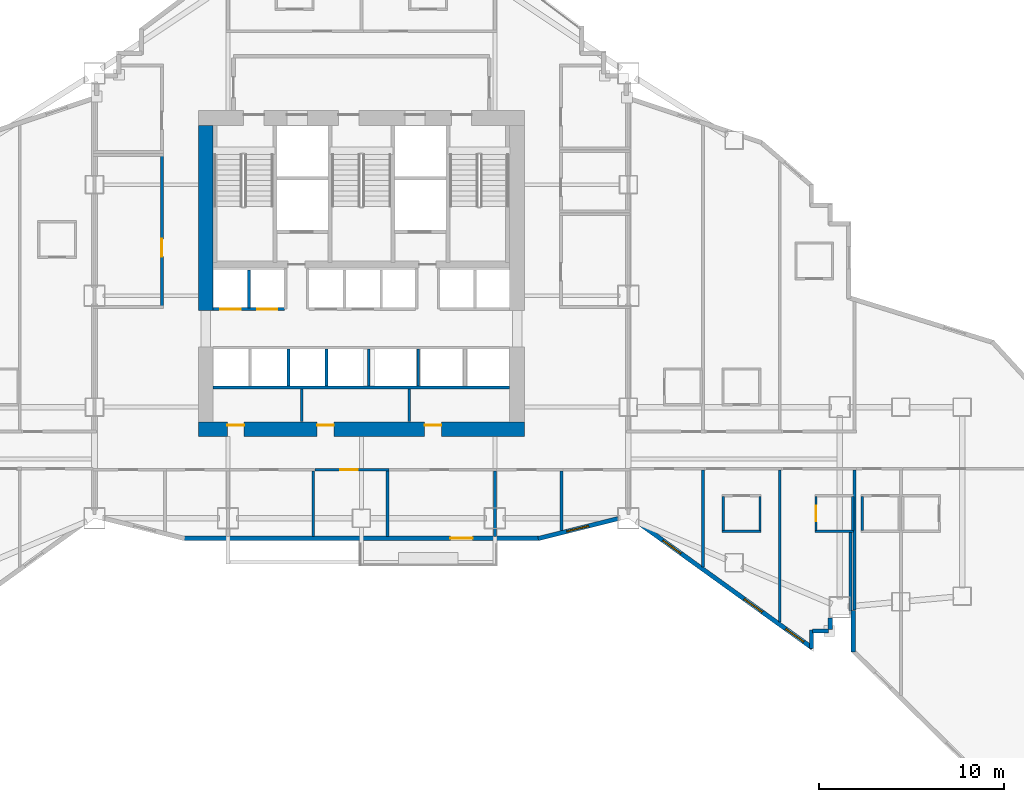
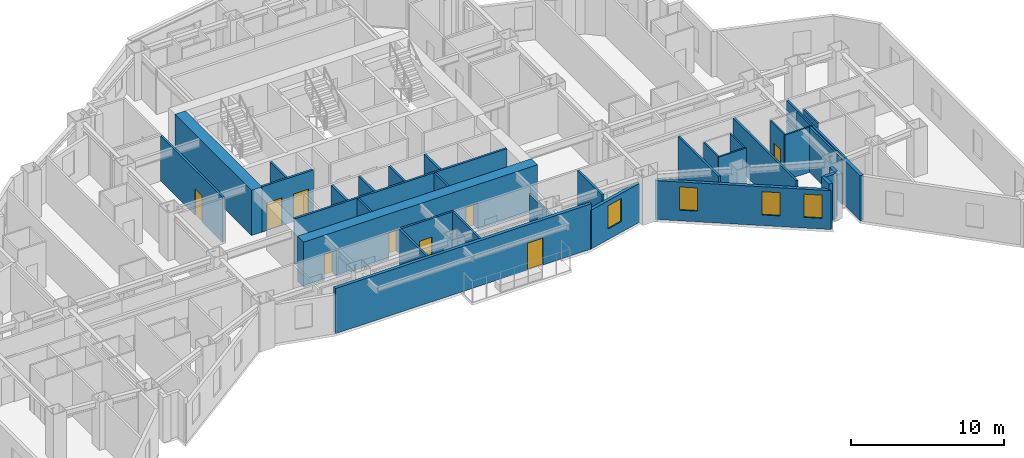
# One storey, part 7 of 16: 35 walls, 9 doors, 4 windows, 13 openings.
"""IFC4 building model written with IfcOpenShell, lengths in metres."""

import ifcopenshell
import ifcopenshell.guid

model = None  # the IFC model being written
_history = None  # IfcOwnerHistory: only IFC2X3 demands one
_inside = {}  # id of a spatial element -> (the spatial element, [elements in it])
_under = {}  # id of a project, library or spatial element -> (it, [spatial elements below it])
_declared = {}  # id of a project -> (the project, [libraries it declares])
_typed = {}  # id of a type object -> (the type object, [elements of that type])
_made_of = {}  # id of a material, layer set ... -> (it, [elements and type objects made of it])


def new_model(schema):
    """Start an empty IFC model of exactly this schema.

    Asked for "IFC4X3", IfcOpenShell would pick the latest addendum, in which some entities
    have other attributes; the version numbers below select the first issue.
    IFC2X3 requires an IfcOwnerHistory on every rooted entity: one is made here for all.
    """
    global model, _history
    if schema == "IFC4X3":
        model = ifcopenshell.file(schema_version=(4, 3, 0, 0))
    else:
        model = ifcopenshell.file(schema=schema)
    _inside.clear()
    _under.clear()
    _declared.clear()
    _typed.clear()
    _made_of.clear()
    _history = None
    if model.schema == "IFC2X3":
        org = make("IfcOrganization", Name="unknown")
        user = make(
            "IfcPersonAndOrganization",
            ThePerson=make("IfcPerson", FamilyName="unknown"),
            TheOrganization=org,
        )
        app = make(
            "IfcApplication",
            ApplicationDeveloper=org,
            Version="unknown",
            ApplicationFullName="unknown",
            ApplicationIdentifier="unknown",
        )
        _history = make(
            "IfcOwnerHistory",
            OwningUser=user,
            OwningApplication=app,
            ChangeAction="ADDED",
            CreationDate=0,
        )
    return model


def make(cls, **values):
    """One entity of the class cls with the attributes given. An attribute that is None is left unset."""
    return model.create_entity(
        cls, **{name: value for name, value in values.items() if value is not None}
    )


def rooted(cls, **values):
    """An entity with a GlobalId (a new one), such as an element, a storey or a relation."""
    return make(cls, GlobalId=ifcopenshell.guid.new(), OwnerHistory=_history, **values)


def si_unit(unit_type, name, prefix=None):
    """IfcSIUnit, for example si_unit("LENGTHUNIT", "METRE", prefix="MILLI")."""
    return make("IfcSIUnit", UnitType=unit_type, Prefix=prefix, Name=name)


def assignment(units):
    """IfcUnitAssignment: the units of a project."""
    return None if units is None else make("IfcUnitAssignment", Units=units)


def point(xyz):
    """IfcCartesianPoint."""
    return None if xyz is None else make("IfcCartesianPoint", Coordinates=xyz)


def direction(xyz):
    """IfcDirection."""
    return None if xyz is None else make("IfcDirection", DirectionRatios=xyz)


def frame(location, z_axis=None, x_axis=None):
    """IfcAxis2Placement3D, a coordinate frame: its origin and axes. An axis left out is left unset."""
    return make(
        "IfcAxis2Placement3D",
        Location=point(location),
        Axis=direction(z_axis),
        RefDirection=direction(x_axis),
    )


def frame_2d(location, x_axis=None):
    """IfcAxis2Placement2D, a coordinate frame in the plane: its origin and x axis."""
    return make(
        "IfcAxis2Placement2D", Location=point(location), RefDirection=direction(x_axis)
    )


def origin():
    """The frame at (0, 0, 0) with its axes left unset."""
    return frame((0.0, 0.0, 0.0))


def place(relative_to, where):
    """IfcLocalPlacement: puts the frame where relative to a parent placement (None: the world)."""
    return make(
        "IfcLocalPlacement", PlacementRelTo=relative_to, RelativePlacement=where
    )


def context(
    kind, dimensions, precision=None, world=None, true_north=None, identifier=None
):
    """IfcGeometricRepresentationContext, for example the 3D "Model" context."""
    return make(
        "IfcGeometricRepresentationContext",
        ContextIdentifier=identifier,
        ContextType=kind,
        CoordinateSpaceDimension=dimensions,
        Precision=precision,
        WorldCoordinateSystem=world,
        TrueNorth=true_north,
    )


def subcontext(parent, identifier, kind, view, scale=None):
    """IfcGeometricRepresentationSubContext, for example "Body" below "Model"."""
    return make(
        "IfcGeometricRepresentationSubContext",
        ContextIdentifier=identifier,
        ContextType=kind,
        ParentContext=parent,
        TargetScale=scale,
        TargetView=view,
    )


def project(units=None, contexts=None):
    """IfcProject with its units and contexts."""
    return rooted(
        "IfcProject",
        Name="project",
        RepresentationContexts=contexts,
        UnitsInContext=assignment(units),
    )


def spatial(cls, under=None, at=None, **own):
    """A site, building, storey or space (cls), placed at a placement, below another one or the project."""
    s = rooted(cls, ObjectPlacement=at, **own)
    if under is not None:
        _under.setdefault(under.id(), (under, []))[1].append(s)
    return s


def profile(cls, at=None, kind="AREA", **sizes):
    """A parametric profile (cls). Its sizes go by their IFC names, for example OverallWidth=200.0."""
    return make(cls, ProfileType=kind, Position=at, **sizes)


def rectangle(**sizes):
    """IfcRectangleProfileDef."""
    return profile("IfcRectangleProfileDef", **sizes)


def extrude(swept, where, along, depth):
    """IfcExtrudedAreaSolid: the profile swept, set in the frame where, extruded along a direction by depth."""
    return make(
        "IfcExtrudedAreaSolid",
        SweptArea=swept,
        Position=where,
        ExtrudedDirection=direction(along),
        Depth=depth,
    )


def shape(context_of_items, identifier, shape_type, items):
    """IfcShapeRepresentation: the items that make up one representation, for example the "Body"."""
    return make(
        "IfcShapeRepresentation",
        ContextOfItems=context_of_items,
        RepresentationIdentifier=identifier,
        RepresentationType=shape_type,
        Items=items,
    )


def material(Name=None, Category=None):
    """IfcMaterial."""
    return make("IfcMaterial", Name=Name, Category=Category)


def layer(
    of_material, thickness, ventilated=None, Name=None, Category=None, Priority=None
):
    """IfcMaterialLayer: one layer of a wall or slab, of a material (None: an air gap)."""
    return make(
        "IfcMaterialLayer",
        Material=of_material,
        LayerThickness=thickness,
        IsVentilated=ventilated,
        Name=Name,
        Category=Category,
        Priority=Priority,
    )


def layer_set(layers, Name=None):
    """IfcMaterialLayerSet."""
    return make("IfcMaterialLayerSet", MaterialLayers=layers, LayerSetName=Name)


def made_of(thing, what):
    """Note that an element or type object is made of a material, layer set ...; save() writes the relation."""
    if what is not None:
        _made_of.setdefault(what.id(), (what, []))[1].append(thing)
    return thing


def type_object(cls, material=None, **own):
    """A type object (cls), such as IfcWallType, which elements share."""
    return made_of(rooted(cls, **own), material)


def element(
    cls,
    number,
    at=None,
    inside=None,
    cuts=None,
    type_object=None,
    material=None,
    context=None,
    identifier="Body",
    shape_type=None,
    held_by="IfcProductDefinitionShape",
    body=None,
    shapes=None,
    **own,
):
    """One element of the class cls, such as IfcWall. Its Tag is "e" and its number.

    at: its placement. inside: the storey or other place that contains it. cuts: it is an
    opening in that element (IfcRelVoidsElement). A single representation is given by context,
    identifier, shape_type and body (its items); several are given by shapes. held_by: the class
    of the entity that holds the representations. save() writes the other relations.
    """
    e = rooted(cls, Tag="e%d" % number, ObjectPlacement=at, **own)
    if body is not None:
        shapes = [shape(context, identifier, shape_type, body)]
    if shapes is not None:
        e.Representation = make(held_by, Representations=shapes)
    if inside is not None:
        _inside.setdefault(inside.id(), (inside, []))[1].append(e)
    if cuts is not None:
        rooted(
            "IfcRelVoidsElement", RelatingBuildingElement=cuts, RelatedOpeningElement=e
        )
    if type_object is not None:
        _typed.setdefault(type_object.id(), (type_object, []))[1].append(e)
    return made_of(e, material)


def fill(opening, filler):
    """IfcRelFillsElement: the door or window that sits in an opening."""
    return rooted(
        "IfcRelFillsElement",
        RelatingOpeningElement=opening,
        RelatedBuildingElement=filler,
    )


def aggregate(whole, parts):
    """IfcRelAggregates: a whole, such as a stair, and the parts it consists of."""
    return rooted("IfcRelAggregates", RelatingObject=whole, RelatedObjects=parts)


def save(model, path):
    """Write the relations noted so far, then the file.

    IfcRelAggregates (storeys below a building ...), IfcRelContainedInSpatialStructure (elements
    in a storey), IfcRelDefinesByType, IfcRelAssociatesMaterial and IfcRelDeclares: one each for
    every whole, place, type object, material and project.
    """
    for whole, parts in _under.values():
        aggregate(whole, parts)
    for where, things in _inside.values():
        rooted(
            "IfcRelContainedInSpatialStructure",
            RelatedElements=things,
            RelatingStructure=where,
        )
    for kind, things in _typed.values():
        rooted("IfcRelDefinesByType", RelatedObjects=things, RelatingType=kind)
    for what, things in _made_of.values():
        rooted("IfcRelAssociatesMaterial", RelatedObjects=things, RelatingMaterial=what)
    for by, libraries in _declared.values():
        rooted("IfcRelDeclares", RelatingContext=by, RelatedDefinitions=libraries)
    model.write(path)


model = new_model("IFC4")

# Units and contexts
model_context = context("Model", 3, precision=1e-05, world=origin(), true_north=direction((0.0, 1.0)))
body_context = subcontext(model_context, "Body", "Model", "MODEL_VIEW")
ifc_project = project(units=[si_unit("LENGTHUNIT", "METRE"), si_unit("AREAUNIT", "SQUARE_METRE"), si_unit("VOLUMEUNIT", "CUBIC_METRE"), si_unit("PLANEANGLEUNIT", "RADIAN"), si_unit("MASSUNIT", "GRAM", prefix="KILO")], contexts=[model_context])

# Site, building, storey
site_placement = place(None, origin())
site = spatial("IfcSite", under=ifc_project, at=site_placement, CompositionType="ELEMENT")
building_placement = place(site_placement, origin())
building = spatial("IfcBuilding", under=site, at=building_placement, Name="Haolan Belvedere Tower", CompositionType="ELEMENT")
storey_placement = place(building_placement, frame((0.0, 0.0, 47.60009765625)))
storey = spatial("IfcBuildingStorey", under=building, at=storey_placement, Name="L11", CompositionType="ELEMENT", Elevation=47.60009765625)

# Wall, openings, doors
ifc_material_1 = material(Name="Concrete C70/85", Category="concrete")
ifc_layer_1 = layer(ifc_material_1, 0.800048828125, Name="Concrete C70/85")
ifc_layer_set_1 = layer_set([ifc_layer_1], Name="Concrete C70/85")
wall_type_1 = type_object("IfcWallType", Name="WL-CORE-800", PredefinedType="SHEAR", material=ifc_layer_set_1)
wall_1_placement = place(storey_placement, frame((29.60009765625, 26.39990234375, 0.0), z_axis=(0.0, 0.0, 1.0), x_axis=(1.0, 0.0, 0.0)))
wall_1 = element("IfcWall", 1, at=wall_1_placement, inside=storey, type_object=wall_type_1, Name="L11 central core south shear wall", PredefinedType="SHEAR", context=body_context, shape_type="SweptSolid", body=[
    extrude(rectangle(XDim=17.599853515625, YDim=0.800048828125, at=frame_2d((8.7998046875, 0.0))), origin(), (0.0, 0.0, 1.0), 3.599853515625),
])
opening_1_placement = place(wall_1_placement, frame((2.469970703125, 0.0, 0.0), z_axis=(0.0, 0.0, 1.0), x_axis=(-1.0, 0.0, 0.0)))
opening_1 = element("IfcOpeningElement", 2, at=opening_1_placement, cuts=wall_1, Name="Opening FD-05", PredefinedType="OPENING", context=body_context, shape_type="SweptSolid", body=[
    extrude(rectangle(XDim=0.89990234375, YDim=2.10009765625, at=frame_2d((0.449951171875, 1.050048828125))), frame((0.0, 0.409912109375, 0.0), z_axis=(0.0, -1.0, 0.0), x_axis=(1.0, 0.0, 0.0)), (0.0, 0.0, 1.0), 0.820068359375),
])
opening_2_placement = place(wall_1_placement, frame((7.309814453125, 0.0, 0.0), z_axis=(0.0, 0.0, 1.0), x_axis=(-1.0, 0.0, 0.0)))
opening_2 = element("IfcOpeningElement", 3, at=opening_2_placement, cuts=wall_1, Name="Opening FD-05", PredefinedType="OPENING", context=body_context, shape_type="SweptSolid", body=[
    extrude(rectangle(XDim=0.89990234375, YDim=2.10009765625, at=frame_2d((0.449951171875, 1.050048828125))), frame((0.0, 0.409912109375, 0.0), z_axis=(0.0, -1.0, 0.0), x_axis=(1.0, 0.0, 0.0)), (0.0, 0.0, 1.0), 0.820068359375),
])
opening_3_placement = place(wall_1_placement, frame((13.10986328125, 0.0, 0.0), z_axis=(0.0, 0.0, 1.0), x_axis=(-1.0, 0.0, 0.0)))
opening_3 = element("IfcOpeningElement", 4, at=opening_3_placement, cuts=wall_1, Name="Opening FD-05", PredefinedType="OPENING", context=body_context, shape_type="SweptSolid", body=[
    extrude(rectangle(XDim=0.89990234375, YDim=2.10009765625, at=frame_2d((0.449951171875, 1.050048828125))), frame((0.0, 0.409912109375, 0.0), z_axis=(0.0, -1.0, 0.0), x_axis=(1.0, 0.0, 0.0)), (0.0, 0.0, 1.0), 0.820068359375),
])
ifc_material_2 = material(Name="Galvanised fire-rated steel", Category="steel")
door_type_1 = type_object("IfcDoorType", Name="DR-FD60-900", OperationType="NOTDEFINED", PredefinedType="DOOR", material=ifc_material_2)
door_1_placement = place(opening_1_placement, origin())
door_1 = element("IfcDoor", 5, at=door_1_placement, inside=storey, type_object=door_type_1, Name="L11 door CD-L11-SCV-1", OperationType="SINGLE_SWING_LEFT", OverallHeight=2.10009765625, OverallWidth=0.89990234375, PredefinedType="DOOR", context=body_context, shape_type="SweptSolid", body=[
    extrude(rectangle(XDim=0.89990234375, YDim=2.10009765625, at=frame_2d((0.449951171875, 1.050048828125))), frame((0.0, -0.19482421875, 0.0), z_axis=(0.0, -1.0, 0.0), x_axis=(1.0, 0.0, 0.0)), (0.0, 0.0, 1.0), 0.050048828125),
])
fill(opening_1, door_1)
door_2_placement = place(opening_2_placement, origin())
door_2 = element("IfcDoor", 6, at=door_2_placement, inside=storey, type_object=door_type_1, Name="L11 door CD-L11-SCV-2", OperationType="SINGLE_SWING_RIGHT", OverallHeight=2.10009765625, OverallWidth=0.89990234375, PredefinedType="DOOR", context=body_context, shape_type="SweptSolid", body=[
    extrude(rectangle(XDim=0.89990234375, YDim=2.10009765625, at=frame_2d((0.449951171875, 1.050048828125))), frame((0.0, -0.19482421875, 0.0), z_axis=(0.0, -1.0, 0.0), x_axis=(1.0, 0.0, 0.0)), (0.0, 0.0, 1.0), 0.050048828125),
])
fill(opening_2, door_2)
door_3_placement = place(opening_3_placement, origin())
door_3 = element("IfcDoor", 7, at=door_3_placement, inside=storey, type_object=door_type_1, Name="L11 door CD-L11-SCV-3", OperationType="SINGLE_SWING_LEFT", OverallHeight=2.10009765625, OverallWidth=0.89990234375, PredefinedType="DOOR", context=body_context, shape_type="SweptSolid", body=[
    extrude(rectangle(XDim=0.89990234375, YDim=2.10009765625, at=frame_2d((0.449951171875, 1.050048828125))), frame((0.0, -0.19482421875, 0.0), z_axis=(0.0, -1.0, 0.0), x_axis=(1.0, 0.0, 0.0)), (0.0, 0.0, 1.0), 0.050048828125),
])
fill(opening_3, door_3)

# Wall
wall_2_placement = place(storey_placement, frame((30.0, 32.800048828125, 0.0), z_axis=(0.0, 0.0, 1.0), x_axis=(0.0, 1.0, 0.0)))
element("IfcWall", 8, at=wall_2_placement, inside=storey, type_object=wall_type_1, Name="L11 central core shear wall WN", PredefinedType="SHEAR", context=body_context, shape_type="SweptSolid", body=[
    extrude(rectangle(XDim=10.0, YDim=0.800048828125, at=frame_2d((5.0, 0.0))), origin(), (0.0, 0.0, 1.0), 3.599853515625),
])

# Wall, opening, door
ifc_material_3 = material(Name="Precast concrete C40/50", Category="concrete")
ifc_layer_2 = layer(ifc_material_3, 0.239990234375, Name="Precast concrete C40/50")
ifc_layer_set_2 = layer_set([ifc_layer_2], Name="Precast concrete C40/50")
wall_type_2 = type_object("IfcWallType", Name="WL-EXT-240", PredefinedType="SOLIDWALL", material=ifc_layer_set_2)
wall_3_placement = place(storey_placement, frame((28.759765625, 20.52001953125, 0.0), z_axis=(0.0, 0.0, 1.0), x_axis=(1.0, 0.0, 0.0)))
wall_3 = element("IfcWall", 9, at=wall_3_placement, inside=storey, type_object=wall_type_2, Name="L11 pale-metal exterior spandrel wall 13.1", PredefinedType="SOLIDWALL", context=body_context, shape_type="SweptSolid", body=[
    extrude(rectangle(XDim=19.280517578125, YDim=0.239990234375, at=frame_2d((9.64013671875, 0.0))), origin(), (0.0, 0.0, 1.0), 3.599853515625),
])
opening_4_placement = place(wall_3_placement, frame((15.64013671875, 0.0, 0.0), z_axis=(0.0, 0.0, 1.0), x_axis=(-1.0, 0.0, 0.0)))
opening_4 = element("IfcOpeningElement", 10, at=opening_4_placement, cuts=wall_3, Name="Opening BD-01", PredefinedType="OPENING", context=body_context, shape_type="SweptSolid", body=[
    extrude(rectangle(XDim=1.199951171875, YDim=2.14990234375, at=frame_2d((0.60009765625, 1.074951171875))), frame((0.0, 0.1298828125, 0.0), z_axis=(0.0, -1.0, 0.0), x_axis=(1.0, 0.0, 0.0)), (0.0, 0.0, 1.0), 0.260009765625),
])
ifc_material_4 = material(Name="Thermally broken pale-metal aluminium and Low-E glass", Category="aluminium")
door_type_2 = type_object("IfcDoorType", Name="DR-BAL-1200", OperationType="NOTDEFINED", PredefinedType="DOOR", material=ifc_material_4)
door_4_placement = place(opening_4_placement, origin())
door_4 = element("IfcDoor", 11, at=door_4_placement, inside=storey, type_object=door_type_2, Name="L11 tree-balcony access door 1", OperationType="SINGLE_SWING_LEFT", OverallHeight=2.14990234375, OverallWidth=1.199951171875, PredefinedType="DOOR", context=body_context, shape_type="SweptSolid", body=[
    extrude(rectangle(XDim=1.199951171875, YDim=2.14990234375, at=frame_2d((0.60009765625, 1.074951171875))), frame((0.0, 0.02490234375, 0.0), z_axis=(0.0, -1.0, 0.0), x_axis=(1.0, 0.0, 0.0)), (0.0, 0.0, 1.0), 0.050048828125),
])
fill(opening_4, door_4)

# Wall, opening, window
wall_4_placement = place(storey_placement, frame((47.931884765625, 20.506591796875, 0.0), z_axis=(0.0, 0.0, 1.0), x_axis=(0.970145739396, 0.242522667667, 0.0)))
wall_4 = element("IfcWall", 12, at=wall_4_placement, inside=storey, type_object=wall_type_2, Name="L11 pale-metal exterior spandrel wall 14.1", PredefinedType="SOLIDWALL", context=body_context, shape_type="SweptSolid", body=[
    extrude(rectangle(XDim=4.433349609375, YDim=0.239990234375, at=frame_2d((2.216796875, 0.0))), origin(), (0.0, 0.0, 1.0), 3.096923828125),
])
opening_5_placement = place(wall_4_placement, frame((1.60009765625, 0.0, 0.85009765625)))
opening_5 = element("IfcOpeningElement", 13, at=opening_5_placement, cuts=wall_4, Name="Opening W-01", PredefinedType="OPENING", context=body_context, shape_type="SweptSolid", body=[
    extrude(rectangle(XDim=1.199951171875, YDim=1.85009765625, at=frame_2d((0.60009765625, 0.925048828125))), frame((0.0, 0.1298828125, 0.0), z_axis=(0.0, -1.0, 0.0), x_axis=(1.0, 0.0, 0.0)), (0.0, 0.0, 1.0), 0.260009765625),
])
ifc_material_5 = material(Name="Anodised aluminium 6063-T6 and Low-E glass", Category="aluminium")
window_type = type_object("IfcWindowType", Name="WN-DECO-Z1", PartitioningType="SINGLE_PANEL", PredefinedType="WINDOW", material=ifc_material_5)
window_1_placement = place(opening_5_placement, origin())
window_1 = element("IfcWindow", 14, at=window_1_placement, inside=storey, type_object=window_type, Name="L11 Art Deco chevron window 1", OverallHeight=1.85009765625, OverallWidth=1.199951171875, PartitioningType="SINGLE_PANEL", PredefinedType="WINDOW", context=body_context, shape_type="SweptSolid", body=[
    extrude(rectangle(XDim=1.199951171875, YDim=1.85009765625, at=frame_2d((0.60009765625, 0.925048828125))), frame((0.0, 0.030029296875, 0.0), z_axis=(0.0, -1.0, 0.0), x_axis=(1.0, 0.0, 0.0)), (0.0, 0.0, 1.0), 0.06005859375),
])
fill(opening_5, window_1)

# Wall, openings, windows
wall_5_placement = place(storey_placement, frame((53.366943359375, 21.339599609375, 0.0), z_axis=(0.0, 0.0, 1.0), x_axis=(0.811543176492, -0.58429245476, 0.0)))
wall_5 = element("IfcWall", 15, at=wall_5_placement, inside=storey, type_object=wall_type_2, Name="L11 pale-metal exterior spandrel wall 15.1", PredefinedType="SOLIDWALL", context=body_context, shape_type="SweptSolid", body=[
    extrude(rectangle(XDim=11.53076171875, YDim=0.239990234375, at=frame_2d((5.765380859375, 0.0))), origin(), (0.0, 0.0, 1.0), 3.096923828125),
])
opening_6_placement = place(wall_5_placement, frame((1.60009765625, 0.0, 0.85009765625)))
opening_6 = element("IfcOpeningElement", 16, at=opening_6_placement, cuts=wall_5, Name="Opening W-01", PredefinedType="OPENING", context=body_context, shape_type="SweptSolid", body=[
    extrude(rectangle(XDim=1.199951171875, YDim=1.85009765625, at=frame_2d((0.60009765625, 0.925048828125))), frame((0.0, 0.1298828125, 0.0), z_axis=(0.0, -1.0, 0.0), x_axis=(1.0, 0.0, 0.0)), (0.0, 0.0, 1.0), 0.260009765625),
])
opening_7_placement = place(wall_5_placement, frame((7.0, 0.0, 0.85009765625)))
opening_7 = element("IfcOpeningElement", 17, at=opening_7_placement, cuts=wall_5, Name="Opening W-01", PredefinedType="OPENING", context=body_context, shape_type="SweptSolid", body=[
    extrude(rectangle(XDim=1.199951171875, YDim=1.85009765625, at=frame_2d((0.60009765625, 0.925048828125))), frame((0.0, 0.1298828125, 0.0), z_axis=(0.0, -1.0, 0.0), x_axis=(1.0, 0.0, 0.0)), (0.0, 0.0, 1.0), 0.260009765625),
])
opening_8_placement = place(wall_5_placement, frame((9.761962890625, 0.0, 0.85009765625)))
opening_8 = element("IfcOpeningElement", 18, at=opening_8_placement, cuts=wall_5, Name="Opening W-01", PredefinedType="OPENING", context=body_context, shape_type="SweptSolid", body=[
    extrude(rectangle(XDim=1.199951171875, YDim=1.85009765625, at=frame_2d((0.60009765625, 0.925048828125))), frame((0.0, 0.1298828125, 0.0), z_axis=(0.0, -1.0, 0.0), x_axis=(1.0, 0.0, 0.0)), (0.0, 0.0, 1.0), 0.260009765625),
])
window_2_placement = place(opening_6_placement, origin())
window_2 = element("IfcWindow", 19, at=window_2_placement, inside=storey, type_object=window_type, Name="L11 Art Deco chevron window 1", OverallHeight=1.85009765625, OverallWidth=1.199951171875, PartitioningType="SINGLE_PANEL", PredefinedType="WINDOW", context=body_context, shape_type="SweptSolid", body=[
    extrude(rectangle(XDim=1.199951171875, YDim=1.85009765625, at=frame_2d((0.60009765625, 0.925048828125))), frame((0.0, 0.030029296875, 0.0), z_axis=(0.0, -1.0, 0.0), x_axis=(1.0, 0.0, 0.0)), (0.0, 0.0, 1.0), 0.06005859375),
])
fill(opening_6, window_2)
window_3_placement = place(opening_7_placement, origin())
window_3 = element("IfcWindow", 20, at=window_3_placement, inside=storey, type_object=window_type, Name="L11 Art Deco chevron window 2", OverallHeight=1.85009765625, OverallWidth=1.199951171875, PartitioningType="SINGLE_PANEL", PredefinedType="WINDOW", context=body_context, shape_type="SweptSolid", body=[
    extrude(rectangle(XDim=1.199951171875, YDim=1.85009765625, at=frame_2d((0.60009765625, 0.925048828125))), frame((0.0, 0.030029296875, 0.0), z_axis=(0.0, -1.0, 0.0), x_axis=(1.0, 0.0, 0.0)), (0.0, 0.0, 1.0), 0.06005859375),
])
fill(opening_7, window_3)
window_4_placement = place(opening_8_placement, origin())
window_4 = element("IfcWindow", 21, at=window_4_placement, inside=storey, type_object=window_type, Name="L11 Art Deco guestroom window 2", OverallHeight=1.85009765625, OverallWidth=1.199951171875, PartitioningType="SINGLE_PANEL", PredefinedType="WINDOW", context=body_context, shape_type="SweptSolid", body=[
    extrude(rectangle(XDim=1.199951171875, YDim=1.85009765625, at=frame_2d((0.60009765625, 0.925048828125))), frame((0.0, 0.030029296875, 0.0), z_axis=(0.0, -1.0, 0.0), x_axis=(1.0, 0.0, 0.0)), (0.0, 0.0, 1.0), 0.06005859375),
])
fill(opening_8, window_4)

# Walls
wall_6_placement = place(storey_placement, frame((62.679931640625, 14.579345703125, 0.0), z_axis=(0.0, 0.0, 1.0), x_axis=(0.0, 1.0, 0.0)))
element("IfcWall", 22, at=wall_6_placement, inside=storey, type_object=wall_type_2, Name="L11 pale-metal exterior spandrel wall 16.1", PredefinedType="SOLIDWALL", context=body_context, shape_type="SweptSolid", body=[
    extrude(rectangle(XDim=0.99560546875, YDim=0.239990234375, at=frame_2d((0.497802734375, 0.0))), origin(), (0.0, 0.0, 1.0), 3.599853515625),
])
wall_7_placement = place(storey_placement, frame((62.7451171875, 15.52001953125, 0.0), z_axis=(0.0, 0.0, 1.0), x_axis=(1.0, 0.0, 0.0)))
element("IfcWall", 23, at=wall_7_placement, inside=storey, type_object=wall_type_2, Name="L11 pale-metal exterior spandrel wall 17.1", PredefinedType="SOLIDWALL", context=body_context, shape_type="SweptSolid", body=[
    extrude(rectangle(XDim=0.849853515625, YDim=0.239990234375, at=frame_2d((0.4248046875, 0.0))), origin(), (0.0, 0.0, 1.0), 3.599853515625),
])
wall_8_placement = place(storey_placement, frame((63.679931640625, 15.60498046875, 0.0), z_axis=(0.0, 0.0, 1.0), x_axis=(0.0, 1.0, 0.0)))
element("IfcWall", 24, at=wall_8_placement, inside=storey, type_object=wall_type_2, Name="L11 pale-metal exterior spandrel wall 18.1", PredefinedType="SOLIDWALL", context=body_context, shape_type="SweptSolid", body=[
    extrude(rectangle(XDim=0.6279296875, YDim=0.239990234375, at=frame_2d((0.31396484375, 0.0))), origin(), (0.0, 0.0, 1.0), 3.599853515625),
])
wall_9_placement = place(storey_placement, frame((64.919921875, 16.639892578125, 0.0), z_axis=(0.0, 0.0, 1.0), x_axis=(0.0, -1.0, 0.0)))
element("IfcWall", 25, at=wall_9_placement, inside=storey, type_object=wall_type_2, Name="L11 pale-metal exterior spandrel wall 20.1", PredefinedType="SOLIDWALL", context=body_context, shape_type="SweptSolid", body=[
    extrude(rectangle(XDim=2.24462890625, YDim=0.239990234375, at=frame_2d((1.122314453125, 0.0))), origin(), (0.0, 0.0, 1.0), 3.599853515625),
])
ifc_material_6 = material(Name="Double gypsum acoustic stud partition", Category="masonry")
ifc_layer_3 = layer(ifc_material_6, 0.14990234375, Name="Double gypsum acoustic stud partition")
ifc_layer_set_3 = layer_set([ifc_layer_3], Name="Double gypsum acoustic stud partition")
wall_type_3 = type_object("IfcWallType", Name="WL-PART-150", PredefinedType="PARTITIONING", material=ifc_layer_set_3)
wall_10_placement = place(storey_placement, frame((30.39990234375, 28.659912109375, 0.0), z_axis=(0.0, 0.0, 1.0), x_axis=(1.0, 0.0, 0.0)))
element("IfcWall", 26, at=wall_10_placement, inside=storey, type_object=wall_type_3, Name="L11 interior partition IW-L11-SSTRIP-N", PredefinedType="PARTITIONING", context=body_context, shape_type="SweptSolid", body=[
    extrude(rectangle(XDim=16.0, YDim=0.14990234375, at=frame_2d((8.0, 0.0))), origin(), (0.0, 0.0, 1.0), 3.599853515625),
])
for number, where, z_axis, x_axis, name in (
    (27, (35.179931640625, 26.81005859375, 0.0), (0.0, 0.0, 1.0), (0.0, 1.0, 0.0), "L11 interior partition IW-L11-SCV-DIV-1"),
    (28, (40.97998046875, 26.81005859375, 0.0), (0.0, 0.0, 1.0), (0.0, 1.0, 0.0), "L11 interior partition IW-L11-SCV-DIV-2"),
):
    element("IfcWall", number, at=place(storey_placement, frame(where, z_axis=z_axis, x_axis=x_axis)), inside=storey, type_object=wall_type_3, Name=name, PredefinedType="PARTITIONING", context=body_context, shape_type="SweptSolid", body=[
        extrude(rectangle(XDim=1.77001953125, YDim=0.14990234375, at=frame_2d((0.885009765625, 0.0))), origin(), (0.0, 0.0, 1.0), 3.599853515625),
    ])

# Wall, opening, door
wall_11_placement = place(storey_placement, frame((27.639892578125, 33.06005859375, 0.0), z_axis=(0.0, 0.0, 1.0), x_axis=(0.0, 1.0, 0.0)))
wall_11 = element("IfcWall", 29, at=wall_11_placement, inside=storey, type_object=wall_type_3, Name="L11 interior partition IW-L11-SAL-E", PredefinedType="PARTITIONING", context=body_context, shape_type="SweptSolid", body=[
    extrude(rectangle(XDim=8.079833984375, YDim=0.14990234375, at=frame_2d((4.0400390625, 0.0))), origin(), (0.0, 0.0, 1.0), 3.599853515625),
])
opening_9_placement = place(wall_11_placement, frame((3.60986328125, 0.0, 0.0), z_axis=(0.0, 0.0, 1.0), x_axis=(-1.0, 0.0, 0.0)))
opening_9 = element("IfcOpeningElement", 30, at=opening_9_placement, cuts=wall_11, Name="Opening ID-03", PredefinedType="OPENING", context=body_context, shape_type="SweptSolid", body=[
    extrude(rectangle(XDim=0.949951171875, YDim=2.1201171875, at=frame_2d((0.47509765625, 1.06005859375))), frame((0.0, 0.0849609375, 0.0), z_axis=(0.0, -1.0, 0.0), x_axis=(1.0, 0.0, 0.0)), (0.0, 0.0, 1.0), 0.169921875),
])
ifc_material_7 = material(Name="Painted solid-core timber", Category="wood")
door_type_3 = type_object("IfcDoorType", Name="DR-INT-950", OperationType="NOTDEFINED", PredefinedType="DOOR", material=ifc_material_7)
door_5_placement = place(opening_9_placement, origin())
door_5 = element("IfcDoor", 31, at=door_5_placement, inside=storey, type_object=door_type_3, Name="L11 door ID-L11-SAL", OperationType="SINGLE_SWING_LEFT", OverallHeight=2.1201171875, OverallWidth=0.949951171875, PredefinedType="DOOR", context=body_context, shape_type="SweptSolid", body=[
    extrude(rectangle(XDim=0.949951171875, YDim=2.1201171875, at=frame_2d((0.47509765625, 1.06005859375))), frame((0.0, 0.02490234375, 0.0), z_axis=(0.0, -1.0, 0.0), x_axis=(1.0, 0.0, 0.0)), (0.0, 0.0, 1.0), 0.050048828125),
])
fill(opening_9, door_5)

# Wall
wall_12_placement = place(storey_placement, frame((35.800048828125, 20.625, 0.0), z_axis=(0.0, 0.0, 1.0), x_axis=(0.0, 1.0, 0.0)))
element("IfcWall", 32, at=wall_12_placement, inside=storey, type_object=wall_type_3, Name="L11 interior partition IW-L11-KS3-E", PredefinedType="PARTITIONING", context=body_context, shape_type="SweptSolid", body=[
    extrude(rectangle(XDim=3.534912109375, YDim=0.14990234375, at=frame_2d((1.767578125, 0.0))), origin(), (0.0, 0.0, 1.0), 3.599853515625),
])

# Wall, opening, door
wall_13_placement = place(storey_placement, frame((35.882080078125, 24.219970703125, 0.0), z_axis=(0.0, 0.0, 1.0), x_axis=(1.0, 0.0, 0.0)))
wall_13 = element("IfcWall", 33, at=wall_13_placement, inside=storey, type_object=wall_type_3, Name="L11 interior partition IW-L11-KS4-N", PredefinedType="PARTITIONING", context=body_context, shape_type="SweptSolid", body=[
    extrude(rectangle(XDim=3.997802734375, YDim=0.14990234375, at=frame_2d((1.9990234375, 0.0))), origin(), (0.0, 0.0, 1.0), 3.599853515625),
])
opening_10_placement = place(wall_13_placement, frame((2.31298828125, 0.0, 0.0), z_axis=(0.0, 0.0, 1.0), x_axis=(-1.0, 0.0, 0.0)))
opening_10 = element("IfcOpeningElement", 34, at=opening_10_placement, cuts=wall_13, Name="Opening ID-03", PredefinedType="OPENING", context=body_context, shape_type="SweptSolid", body=[
    extrude(rectangle(XDim=0.949951171875, YDim=2.1201171875, at=frame_2d((0.47509765625, 1.06005859375))), frame((0.0, 0.0849609375, 0.0), z_axis=(0.0, -1.0, 0.0), x_axis=(1.0, 0.0, 0.0)), (0.0, 0.0, 1.0), 0.169921875),
])
door_6_placement = place(opening_10_placement, origin())
door_6 = element("IfcDoor", 35, at=door_6_placement, inside=storey, type_object=door_type_3, Name="L11 door ID-L11-KS4", OperationType="SINGLE_SWING_RIGHT", OverallHeight=2.1201171875, OverallWidth=0.949951171875, PredefinedType="DOOR", context=body_context, shape_type="SweptSolid", body=[
    extrude(rectangle(XDim=0.949951171875, YDim=2.1201171875, at=frame_2d((0.47509765625, 1.06005859375))), frame((0.0, 0.02490234375, 0.0), z_axis=(0.0, -1.0, 0.0), x_axis=(1.0, 0.0, 0.0)), (0.0, 0.0, 1.0), 0.050048828125),
])
fill(opening_10, door_6)

# Walls
wall_14_placement = place(storey_placement, frame((39.800048828125, 20.625, 0.0), z_axis=(0.0, 0.0, 1.0), x_axis=(0.0, 1.0, 0.0)))
element("IfcWall", 36, at=wall_14_placement, inside=storey, type_object=wall_type_3, Name="L11 interior partition IW-L11-KS4-E", PredefinedType="PARTITIONING", context=body_context, shape_type="SweptSolid", body=[
    extrude(rectangle(XDim=3.534912109375, YDim=0.14990234375, at=frame_2d((1.767578125, 0.0))), origin(), (0.0, 0.0, 1.0), 3.599853515625),
])
wall_15_placement = place(storey_placement, frame((45.60009765625, 20.625, 0.0), z_axis=(0.0, 0.0, 1.0), x_axis=(0.0, 1.0, 0.0)))
element("IfcWall", 37, at=wall_15_placement, inside=storey, type_object=wall_type_3, Name="L11 interior partition IW-L11-KS5-E", PredefinedType="PARTITIONING", context=body_context, shape_type="SweptSolid", body=[
    extrude(rectangle(XDim=3.534912109375, YDim=0.14990234375, at=frame_2d((1.767578125, 0.0))), origin(), (0.0, 0.0, 1.0), 2.98486328125),
])
wall_16_placement = place(storey_placement, frame((49.199951171875, 20.931884765625, 0.0), z_axis=(0.0, 0.0, 1.0), x_axis=(0.0, 1.0, 0.0)))
element("IfcWall", 38, at=wall_16_placement, inside=storey, type_object=wall_type_3, Name="L11 interior partition IW-L11-KS6-E", PredefinedType="PARTITIONING", context=body_context, shape_type="SweptSolid", body=[
    extrude(rectangle(XDim=3.22802734375, YDim=0.14990234375, at=frame_2d((1.614013671875, 0.0))), origin(), (0.0, 0.0, 1.0), 3.599853515625),
])
wall_17_placement = place(storey_placement, frame((56.830078125, 18.9755859375, 0.0), z_axis=(0.0, 0.0, 1.0), x_axis=(0.0, 1.0, 0.0)))
element("IfcWall", 39, at=wall_17_placement, inside=storey, type_object=wall_type_3, Name="L11 interior partition IW-L11-T4S1-E", PredefinedType="PARTITIONING", context=body_context, shape_type="SweptSolid", body=[
    extrude(rectangle(XDim=5.234375, YDim=0.14990234375, at=frame_2d((2.6171875, 0.0))), origin(), (0.0, 0.0, 1.0), 3.599853515625),
])
wall_18_placement = place(storey_placement, frame((60.969970703125, 15.994873046875, 0.0), z_axis=(0.0, 0.0, 1.0), x_axis=(0.0, 1.0, 0.0)))
element("IfcWall", 40, at=wall_18_placement, inside=storey, type_object=wall_type_3, Name="L11 interior partition IW-L11-T4S2-E", PredefinedType="PARTITIONING", context=body_context, shape_type="SweptSolid", body=[
    extrude(rectangle(XDim=8.215087890625, YDim=0.14990234375, at=frame_2d((4.107421875, 0.0))), origin(), (0.0, 0.0, 1.0), 3.599853515625),
])
wall_19_placement = place(storey_placement, frame((65.0, 16.64208984375, 0.0), z_axis=(0.0, 0.0, 1.0), x_axis=(0.0, 1.0, 0.0)))
element("IfcWall", 41, at=wall_19_placement, inside=storey, type_object=wall_type_3, Name="L11 interior partition IW-L11-T4S3-E", PredefinedType="PARTITIONING", context=body_context, shape_type="SweptSolid", body=[
    extrude(rectangle(XDim=7.56787109375, YDim=0.14990234375, at=frame_2d((3.783935546875, 0.0))), origin(), (0.0, 0.0, 1.0), 3.599853515625),
])
wall_20_placement = place(storey_placement, frame((64.780029296875, 16.612060546875, 0.0), z_axis=(0.0, 0.0, 1.0), x_axis=(0.0, 1.0, 0.0)))
element("IfcWall", 42, at=wall_20_placement, inside=storey, type_object=wall_type_3, Name="L11 interior partition IW-L11-T5S1-W", PredefinedType="PARTITIONING", context=body_context, shape_type="SweptSolid", body=[
    extrude(rectangle(XDim=4.242919921875, YDim=0.14990234375, at=frame_2d((2.12158203125, 0.0))), origin(), (0.0, 0.0, 1.0), 3.599853515625),
])

# Wall, openings, doors
ifc_material_8 = material(Name="Gypsum fire shaftwall assembly", Category="masonry")
ifc_layer_4 = layer(ifc_material_8, 0.1650390625, Name="Gypsum fire shaftwall assembly")
ifc_layer_set_4 = layer_set([ifc_layer_4], Name="Gypsum fire shaftwall assembly")
wall_type_4 = type_object("IfcWallType", Name="WL-SHAFT-160", PredefinedType="SOLIDWALL", material=ifc_layer_set_4)
wall_21_placement = place(storey_placement, frame((30.39990234375, 32.8798828125, 0.0), z_axis=(0.0, 0.0, 1.0), x_axis=(1.0, 0.0, 0.0)))
wall_21 = element("IfcWall", 43, at=wall_21_placement, inside=storey, type_object=wall_type_4, Name="L11 interior partition IW-L11-ROW-PN1", PredefinedType="SOLIDWALL", context=body_context, shape_type="SweptSolid", body=[
    extrude(rectangle(XDim=3.85009765625, YDim=0.159912109375, at=frame_2d((1.925048828125, 0.0))), origin(), (0.0, 0.0, 1.0), 3.599853515625),
])
opening_11_placement = place(wall_21_placement, frame((1.47998046875, 0.0, 0.0), z_axis=(0.0, 0.0, 1.0), x_axis=(-1.0, 0.0, 0.0)))
opening_11 = element("IfcOpeningElement", 44, at=opening_11_placement, cuts=wall_21, Name="Opening LD-01", PredefinedType="OPENING", context=body_context, shape_type="SweptSolid", body=[
    extrude(rectangle(XDim=1.10009765625, YDim=2.199951171875, at=frame_2d((0.550048828125, 1.10009765625))), frame((0.0, 0.08984375, 0.0), z_axis=(0.0, -1.0, 0.0), x_axis=(1.0, 0.0, 0.0)), (0.0, 0.0, 1.0), 0.179931640625),
])
opening_12_placement = place(wall_21_placement, frame((3.47021484375, 0.0, 0.0), z_axis=(0.0, 0.0, 1.0), x_axis=(-1.0, 0.0, 0.0)))
opening_12 = element("IfcOpeningElement", 45, at=opening_12_placement, cuts=wall_21, Name="Opening LD-01", PredefinedType="OPENING", context=body_context, shape_type="SweptSolid", body=[
    extrude(rectangle(XDim=1.10009765625, YDim=2.199951171875, at=frame_2d((0.550048828125, 1.10009765625))), frame((0.0, 0.08984375, 0.0), z_axis=(0.0, -1.0, 0.0), x_axis=(1.0, 0.0, 0.0)), (0.0, 0.0, 1.0), 0.179931640625),
])
ifc_material_9 = material(Name="Brushed champagne stainless steel 316L", Category="steel")
door_type_4 = type_object("IfcDoorType", Name="DR-LIFT-1100", OperationType="SLIDING_TO_LEFT", PredefinedType="DOOR", material=ifc_material_9)
door_7_placement = place(opening_11_placement, origin())
door_7 = element("IfcDoor", 46, at=door_7_placement, inside=storey, type_object=door_type_4, Name="L11 door ID-L11-LD-PL1", OperationType="SLIDING_TO_LEFT", OverallHeight=2.199951171875, OverallWidth=1.10009765625, PredefinedType="DOOR", context=body_context, shape_type="SweptSolid", body=[
    extrude(rectangle(XDim=1.10009765625, YDim=2.199951171875, at=frame_2d((0.550048828125, 1.10009765625))), frame((0.0, 0.02490234375, 0.0), z_axis=(0.0, -1.0, 0.0), x_axis=(1.0, 0.0, 0.0)), (0.0, 0.0, 1.0), 0.050048828125),
])
fill(opening_11, door_7)
door_8_placement = place(opening_12_placement, origin())
door_8 = element("IfcDoor", 47, at=door_8_placement, inside=storey, type_object=door_type_4, Name="L11 door ID-L11-LD-PL2", OperationType="SLIDING_TO_LEFT", OverallHeight=2.199951171875, OverallWidth=1.10009765625, PredefinedType="DOOR", context=body_context, shape_type="SweptSolid", body=[
    extrude(rectangle(XDim=1.10009765625, YDim=2.199951171875, at=frame_2d((0.550048828125, 1.10009765625))), frame((0.0, 0.02490234375, 0.0), z_axis=(0.0, -1.0, 0.0), x_axis=(1.0, 0.0, 0.0)), (0.0, 0.0, 1.0), 0.050048828125),
])
fill(opening_12, door_8)

# Walls
wall_22_placement = place(storey_placement, frame((32.340087890625, 32.949951171875, 0.0), z_axis=(0.0, 0.0, 1.0), x_axis=(0.0, 1.0, 0.0)))
element("IfcWall", 48, at=wall_22_placement, inside=storey, type_object=wall_type_4, Name="L11 interior partition IW-L11-DIV-PL1", PredefinedType="SOLIDWALL", context=body_context, shape_type="SweptSolid", body=[
    extrude(rectangle(XDim=2.050048828125, YDim=0.14990234375, at=frame_2d((1.02490234375, 0.0))), origin(), (0.0, 0.0, 1.0), 3.599853515625),
])
for number, where, z_axis, x_axis, name in (
    (49, (34.4599609375, 28.735107421875, 0.0), (0.0, 0.0, 1.0), (0.0, 1.0, 0.0), "L11 interior partition IW-L11-DIV-PM2"),
    (50, (36.52001953125, 28.735107421875, 0.0), (0.0, 0.0, 1.0), (0.0, 1.0, 0.0), "L11 interior partition IW-L11-DIV-PM3"),
    (51, (38.800048828125, 28.735107421875, 0.0), (0.0, 0.0, 1.0), (0.0, 1.0, 0.0), "L11 interior partition IW-L11-DIV-PM4"),
):
    element("IfcWall", number, at=place(storey_placement, frame(where, z_axis=z_axis, x_axis=x_axis)), inside=storey, type_object=wall_type_4, Name=name, PredefinedType="SOLIDWALL", context=body_context, shape_type="SweptSolid", body=[
        extrude(rectangle(XDim=1.98486328125, YDim=0.14990234375, at=frame_2d((0.992431640625, 0.0))), origin(), (0.0, 0.0, 1.0), 3.599853515625),
    ])
wall_23_placement = place(storey_placement, frame((41.469970703125, 28.75, 0.0), z_axis=(0.0, 0.0, 1.0), x_axis=(0.0, 1.0, 0.0)))
element("IfcWall", 52, at=wall_23_placement, inside=storey, type_object=wall_type_4, Name="L11 interior partition IW-L11-DIV-OB1", PredefinedType="SOLIDWALL", context=body_context, shape_type="SweptSolid", body=[
    extrude(rectangle(XDim=1.985107421875, YDim=0.14990234375, at=frame_2d((0.99267578125, 0.0))), origin(), (0.0, 0.0, 1.0), 3.599853515625),
])
ifc_material_10 = material(Name="Moisture-resistant gypsum tile partition", Category="masonry")
ifc_layer_5 = layer(ifc_material_10, 0.1201171875, Name="Moisture-resistant gypsum tile partition")
ifc_layer_set_5 = layer_set([ifc_layer_5], Name="Moisture-resistant gypsum tile partition")
wall_type_5 = type_object("IfcWallType", Name="WL-WET-120", PredefinedType="PARTITIONING", material=ifc_layer_set_5)
wall_24_placement = place(storey_placement, frame((57.85595703125, 20.89990234375, 0.0), z_axis=(0.0, 0.0, 1.0), x_axis=(1.0, 0.0, 0.0)))
element("IfcWall", 53, at=wall_24_placement, inside=storey, type_object=wall_type_5, Name="L11 interior partition IW-L11-T4S2-BS", PredefinedType="PARTITIONING", context=body_context, shape_type="SweptSolid", body=[
    extrude(rectangle(XDim=2.10009765625, YDim=0.1201171875, at=frame_2d((1.050048828125, 0.0))), origin(), (0.0, 0.0, 1.0), 3.599853515625),
])
for number, where, z_axis, x_axis, name in (
    (54, (57.916015625, 20.945068359375, 0.0), (0.0, 0.0, 1.0), (0.0, 1.0, 0.0), "L11 interior partition IW-L11-T4S2-BW"),
    (55, (59.89599609375, 20.945068359375, 0.0), (0.0, 0.0, 1.0), (0.0, 1.0, 0.0), "L11 interior partition IW-L11-T4S2-BE"),
):
    element("IfcWall", number, at=place(storey_placement, frame(where, z_axis=z_axis, x_axis=x_axis)), inside=storey, type_object=wall_type_5, Name=name, PredefinedType="PARTITIONING", context=body_context, shape_type="SweptSolid", body=[
        extrude(rectangle(XDim=1.829833984375, YDim=0.1201171875, at=frame_2d((0.9150390625, 0.0))), origin(), (0.0, 0.0, 1.0), 3.599853515625),
    ])
wall_25_placement = place(storey_placement, frame((62.860107421875, 20.89990234375, 0.0), z_axis=(0.0, 0.0, 1.0), x_axis=(1.0, 0.0, 0.0)))
element("IfcWall", 56, at=wall_25_placement, inside=storey, type_object=wall_type_5, Name="L11 interior partition IW-L11-T4S3-BS", PredefinedType="PARTITIONING", context=body_context, shape_type="SweptSolid", body=[
    extrude(rectangle(XDim=2.079833984375, YDim=0.1201171875, at=frame_2d((1.0400390625, 0.0))), origin(), (0.0, 0.0, 1.0), 3.599853515625),
])

# Wall, opening, door
wall_26_placement = place(storey_placement, frame((62.919921875, 20.945068359375, 0.0), z_axis=(0.0, 0.0, 1.0), x_axis=(0.0, 1.0, 0.0)))
wall_26 = element("IfcWall", 57, at=wall_26_placement, inside=storey, type_object=wall_type_5, Name="L11 interior partition IW-L11-T4S3-BW", PredefinedType="PARTITIONING", context=body_context, shape_type="SweptSolid", body=[
    extrude(rectangle(XDim=1.829833984375, YDim=0.1201171875, at=frame_2d((0.9150390625, 0.0))), origin(), (0.0, 0.0, 1.0), 3.599853515625),
])
opening_13_placement = place(wall_26_placement, frame((1.340087890625, 0.0, 0.0), z_axis=(0.0, 0.0, 1.0), x_axis=(-1.0, 0.0, 0.0)))
opening_13 = element("IfcOpeningElement", 58, at=opening_13_placement, cuts=wall_26, Name="Opening ID-05", PredefinedType="OPENING", context=body_context, shape_type="SweptSolid", body=[
    extrude(rectangle(XDim=0.85009765625, YDim=2.10009765625, at=frame_2d((0.425048828125, 1.050048828125))), frame((0.0, 0.070068359375, 0.0), z_axis=(0.0, -1.0, 0.0), x_axis=(1.0, 0.0, 0.0)), (0.0, 0.0, 1.0), 0.14013671875),
])
ifc_material_11 = material(Name="Moisture-resistant lacquered timber", Category="wood")
door_type_5 = type_object("IfcDoorType", Name="DR-BATH-850", OperationType="NOTDEFINED", PredefinedType="DOOR", material=ifc_material_11)
door_9_placement = place(opening_13_placement, origin())
door_9 = element("IfcDoor", 59, at=door_9_placement, inside=storey, type_object=door_type_5, Name="L11 door ID-L11-T4S3-BATH", OperationType="SINGLE_SWING_RIGHT", OverallHeight=2.10009765625, OverallWidth=0.85009765625, PredefinedType="DOOR", context=body_context, shape_type="SweptSolid", body=[
    extrude(rectangle(XDim=0.85009765625, YDim=2.10009765625, at=frame_2d((0.425048828125, 1.050048828125))), frame((0.0, 0.02490234375, 0.0), z_axis=(0.0, -1.0, 0.0), x_axis=(1.0, 0.0, 0.0)), (0.0, 0.0, 1.0), 0.050048828125),
])
fill(opening_13, door_9)

# Walls
for number, where, z_axis, x_axis, name in (
    (60, (64.89990234375, 20.945068359375, 0.0), (0.0, 0.0, 1.0), (0.0, 1.0, 0.0), "L11 interior partition IW-L11-T4S3-BE"),
    (61, (65.419921875, 20.945068359375, 0.0), (0.0, 0.0, 1.0), (0.0, 1.0, 0.0), "L11 interior partition IW-L11-T5S1-BW"),
):
    element("IfcWall", number, at=place(storey_placement, frame(where, z_axis=z_axis, x_axis=x_axis)), inside=storey, type_object=wall_type_5, Name=name, PredefinedType="PARTITIONING", context=body_context, shape_type="SweptSolid", body=[
        extrude(rectangle(XDim=1.829833984375, YDim=0.1201171875, at=frame_2d((0.9150390625, 0.0))), origin(), (0.0, 0.0, 1.0), 3.599853515625),
    ])

save(model, "model.ifc")
